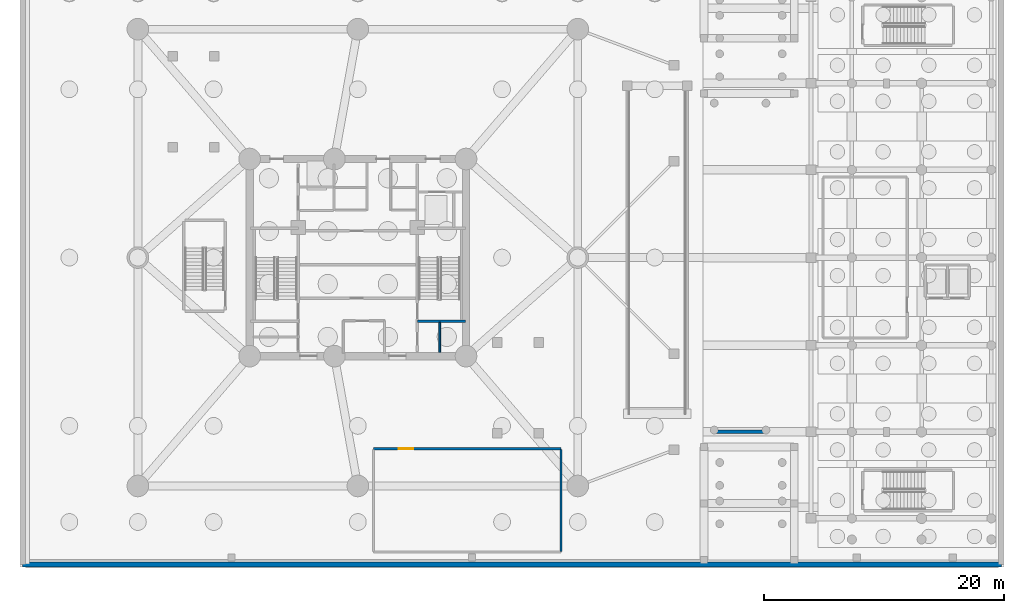
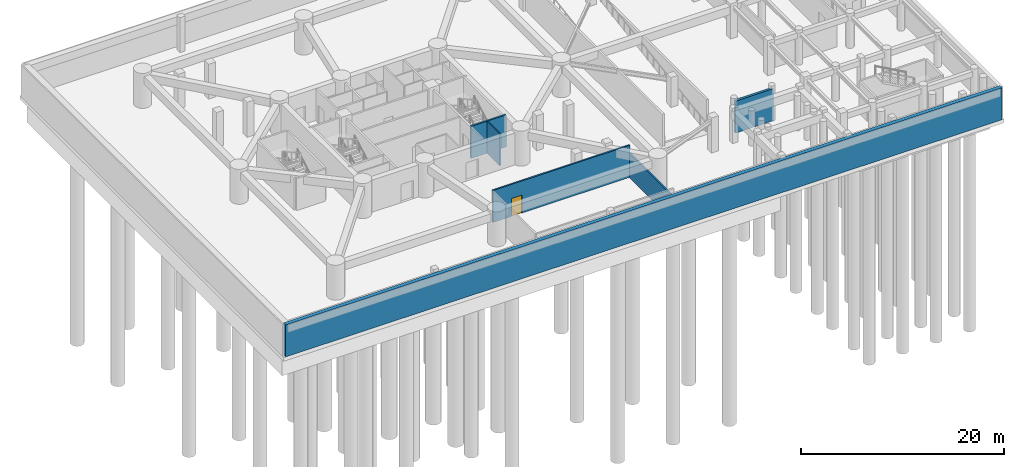
# One storey, part 5 of 13: 6 walls, 1 door, 1 opening.
"""IFC4 building model written with IfcOpenShell, lengths in metres."""

from ifc_helpers import new_model, si_unit, direction, frame, frame_2d, origin, origin_with_axes, place, context, subcontext, project, spatial, rectangle, extrude, source, transform, mapped, material, layer, layer_set, type_object, element, fill, save


model = new_model("IFC4")

# Units and contexts
model_context = context("Model", 3, precision=1e-05, world=origin(), true_north=direction((0.0, 1.0)))
body_context = subcontext(model_context, "Body", "Model", "MODEL_VIEW")
ifc_project = project(units=[si_unit("LENGTHUNIT", "METRE"), si_unit("AREAUNIT", "SQUARE_METRE"), si_unit("VOLUMEUNIT", "CUBIC_METRE"), si_unit("PLANEANGLEUNIT", "RADIAN"), si_unit("MASSUNIT", "GRAM", prefix="KILO")], contexts=[model_context])

# Site, building, storey
site_placement = place(None, origin())
site = spatial("IfcSite", under=ifc_project, at=site_placement, CompositionType="ELEMENT")
building_placement = place(site_placement, origin())
building = spatial("IfcBuilding", under=site, at=building_placement, Name="Karkom Vertical University and Central Library", CompositionType="ELEMENT")
storey_placement = place(building_placement, frame((0.0, 0.0, -8.39990234375)))
storey = spatial("IfcBuildingStorey", under=building, at=storey_placement, Name="B02", CompositionType="ELEMENT", Elevation=-8.39990234375)

# Wall
ifc_material_1 = material(Name="Metal-stud gypsum partition 140mm", Category="gypsum")
ifc_layer_1 = layer(ifc_material_1, 0.139892578125)
ifc_layer_set_1 = layer_set([ifc_layer_1], Name="Metal-stud gypsum partition 140mm")
wall_type_1 = type_object("IfcWallType", Name="INT-WL-SUB-140H", PredefinedType="PARTITIONING", material=ifc_layer_set_1)
wall_1_placement = place(storey_placement, frame((35.320068359375, 18.60693359375, 0.0), z_axis=(0.0, 0.0, 1.0), x_axis=(0.0, 1.0, 0.0)))
element("IfcWall", 1, at=wall_1_placement, inside=storey, type_object=wall_type_1, Name="Basement 02 Interior Partition Wall B02-CW-RIS-E", PredefinedType="PARTITIONING", context=body_context, shape_type="SweptSolid", body=[
    extrude(rectangle(XDim=2.502685546875, YDim=0.139892578125, at=frame_2d((1.25146484375, 0.0))), origin(), (0.0, 0.0, 1.0), 3.849853515625),
])

# Wall, opening, door
ifc_material_2 = material(Name="Twin-stud acoustic drywall 180mm", Category="gypsum")
ifc_layer_2 = layer(ifc_material_2, 0.179931640625)
ifc_layer_set_2 = layer_set([ifc_layer_2], Name="Twin-stud acoustic drywall 180mm")
wall_type_2 = type_object("IfcWallType", Name="INT-WL-TEN-180F", PredefinedType="PARTITIONING", material=ifc_layer_set_2)
wall_2_placement = place(storey_placement, frame((29.800048828125, 10.60009765625, 0.0), z_axis=(0.0, 0.0, 1.0), x_axis=(1.0, 0.0, 0.0)))
wall_2 = element("IfcWall", 2, at=wall_2_placement, inside=storey, type_object=wall_type_2, Name="Basement 02 Interior Partition Wall B02-PW-PLTW-N", PredefinedType="PARTITIONING", context=body_context, shape_type="SweptSolid", body=[
    extrude(rectangle(XDim=15.599853515625, YDim=0.179931640625, at=frame_2d((7.7998046875, 0.0))), origin(), (0.0, 0.0, 1.0), 3.849853515625),
])
opening_placement = place(wall_2_placement, frame((2.10009765625, 0.0, 0.0)))
opening = element("IfcOpeningElement", 3, at=opening_placement, cuts=wall_2, Name="Opening FD-SUB1", PredefinedType="OPENING", context=body_context, shape_type="SweptSolid", body=[
    extrude(rectangle(XDim=1.199951171875, YDim=2.14990234375, at=frame_2d((0.60009765625, 1.074951171875))), frame((0.0, 0.10009765625, 0.0), z_axis=(0.0, -1.0, 0.0), x_axis=(1.0, 0.0, 0.0)), (0.0, 0.0, 1.0), 0.199951171875),
])
ifc_material_3 = material(Name="Painted steel fire door", Category="steel")
door_type = type_object("IfcDoorType", Name="INT-DR-SUB1", OperationType="NOTDEFINED", PredefinedType="DOOR", material=ifc_material_3)
shared_shape = source(origin_with_axes(), body_context, "Body", "SweptSolid", [
    extrude(rectangle(XDim=1.199951171875, YDim=2.14990234375, at=frame_2d((0.60009765625, 1.074951171875))), frame((0.0, 0.02490234375, 0.0), z_axis=(0.0, -1.0, 0.0), x_axis=(1.0, 0.0, 0.0)), (0.0, 0.0, 1.0), 0.050048828125),
])
door_placement = place(opening_placement, origin())
door = element("IfcDoor", 4, at=door_placement, inside=storey, type_object=door_type, Name="Basement 02 Sprinkler and Domestic Water Tank Plant Door", OperationType="SINGLE_SWING_RIGHT", OverallHeight=2.14990234375, OverallWidth=1.199951171875, PredefinedType="DOOR", context=body_context, shape_type="MappedRepresentation", body=[
    mapped(shared_shape, transform((0.0, 0.0, 0.0), scale=1.0)),
])
fill(opening, door)

# Walls
wall_3_placement = place(storey_placement, frame((45.39990234375, 2.06005859375, 0.0), z_axis=(0.0, 0.0, 1.0), x_axis=(0.0, 1.0, 0.0)))
element("IfcWall", 5, at=wall_3_placement, inside=storey, type_object=wall_type_2, Name="Basement 02 Interior Partition Wall B02-PW-PLTW-E", PredefinedType="PARTITIONING", context=body_context, shape_type="SweptSolid", body=[
    extrude(rectangle(XDim=8.47998046875, YDim=0.179931640625, at=frame_2d((4.239990234375, 0.0))), origin(), (0.0, 0.0, 1.0), 2.89990234375),
])
ifc_material_4 = material(Name="Concrete C45/55", Category="concrete")
ifc_layer_3 = layer(ifc_material_4, 0.280029296875)
ifc_layer_set_3 = layer_set([ifc_layer_3], Name="Concrete C45/55")
wall_type_3 = type_object("IfcWallType", Name="STR-WL-CW-280", PredefinedType="SHEAR", material=ifc_layer_set_3)
wall_4_placement = place(storey_placement, frame((58.139892578125, 12.0, 0.0), z_axis=(0.0, 0.0, 1.0), x_axis=(1.0, 0.0, 0.0)))
element("IfcWall", 6, at=wall_4_placement, inside=storey, type_object=wall_type_3, Name="Basement 02 Core Shaft Wall B02-W-RMP2-S", PredefinedType="SHEAR", context=body_context, shape_type="SweptSolid", body=[
    extrude(rectangle(XDim=4.320068359375, YDim=0.280029296875, at=frame_2d((2.16015625, 0.0))), origin(), (0.0, 0.0, 1.0), 3.849853515625),
])
ifc_material_5 = material(Name="Concrete C50/60", Category="concrete")
ifc_layer_4 = layer(ifc_material_5, 0.449951171875)
ifc_layer_set_4 = layer_set([ifc_layer_4], Name="Concrete C50/60")
wall_type_4 = type_object("IfcWallType", Name="STR-WL-RW-450", PredefinedType="USERDEFINED", material=ifc_layer_set_4)
wall_5_placement = place(storey_placement, frame((0.6201171875, 0.969970703125, 0.0), z_axis=(0.0, 0.0, 1.0), x_axis=(1.0, 0.0, 0.0)))
element("IfcWall", 7, at=wall_5_placement, inside=storey, type_object=wall_type_4, Name="Basement 02 Perimeter Retaining Wall 1", ObjectType="RETAINING WALL", PredefinedType="USERDEFINED", context=body_context, shape_type="SweptSolid", body=[
    extrude(rectangle(XDim=81.409912109375, YDim=0.449951171875, at=frame_2d((40.705078125, 0.0))), origin(), (0.0, 0.0, 1.0), 3.849853515625),
])
ifc_layer_5 = layer(ifc_material_4, 0.199951171875)
ifc_layer_set_5 = layer_set([ifc_layer_5], Name="Concrete C45/55")
wall_type_5 = type_object("IfcWallType", Name="STR-WL-ST-200", PredefinedType="SHEAR", material=ifc_layer_set_5)
wall_6_placement = place(storey_placement, frame((33.455078125, 21.215087890625, 0.0), z_axis=(0.0, 0.0, 1.0), x_axis=(1.0, 0.0, 0.0)))
element("IfcWall", 8, at=wall_6_placement, inside=storey, type_object=wall_type_5, Name="Basement 02 Core Shaft Wall B02-CW-ST2-S", PredefinedType="SHEAR", context=body_context, shape_type="SweptSolid", body=[
    extrude(rectangle(XDim=3.994873046875, YDim=0.199951171875, at=frame_2d((1.99755859375, 0.0))), origin(), (0.0, 0.0, 1.0), 3.849853515625),
])

save(model, "model.ifc")
